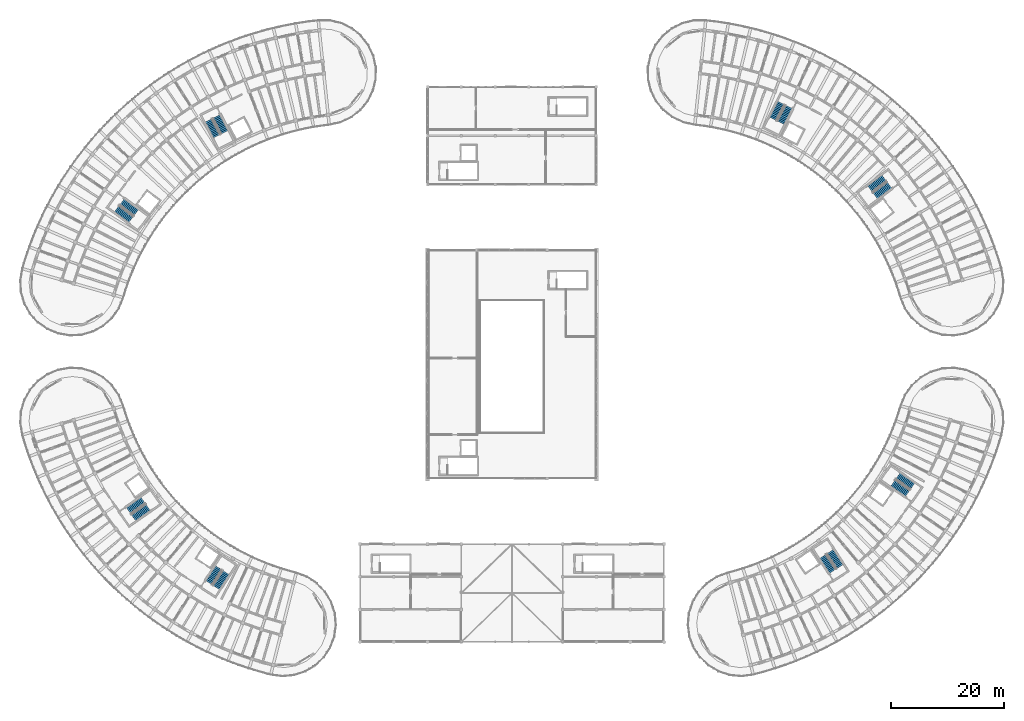
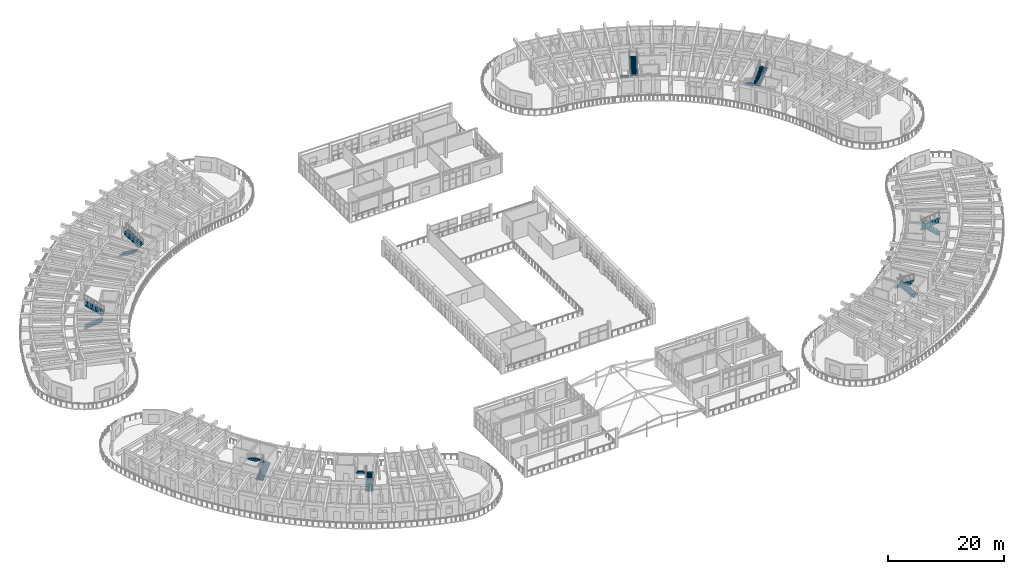
# One storey, part 102 of 128: 16 stair flights, 8 elements without a shape of their own.
"""IFC4 building model written with IfcOpenShell, lengths in metres."""

from ifc_helpers import new_model, si_unit, direction, frame, origin, place, context, subcontext, project, spatial, polyline, outline, extrude, material, layer, layer_set, type_object, element, aggregate, save


model = new_model("IFC4")

# Units and contexts
model_context = context("Model", 3, precision=1e-05, world=origin(), true_north=direction((0.0, 1.0)))
body_context = subcontext(model_context, "Body", "Model", "MODEL_VIEW")
ifc_project = project(units=[si_unit("LENGTHUNIT", "METRE"), si_unit("AREAUNIT", "SQUARE_METRE"), si_unit("VOLUMEUNIT", "CUBIC_METRE"), si_unit("PLANEANGLEUNIT", "RADIAN"), si_unit("MASSUNIT", "GRAM", prefix="KILO")], contexts=[model_context])

# Site, building, storey
site_placement = place(None, origin())
site = spatial("IfcSite", under=ifc_project, at=site_placement, CompositionType="ELEMENT")
building_placement = place(site_placement, origin())
building = spatial("IfcBuilding", under=site, at=building_placement, Name="Tanwirah Colonnade Gardens", CompositionType="ELEMENT")
storey_placement = place(building_placement, frame((0.0, 0.0, 4.760009765625)))
storey = spatial("IfcBuildingStorey", under=building, at=storey_placement, Name="L01", CompositionType="ELEMENT", Elevation=4.760009765625)

# Stair, stair flights
ifc_material = material(Name="Precast concrete C40/50", Category="concrete")
stair_type = type_object("IfcStairType", Name="ST-RES170", PredefinedType="HALF_TURN_STAIR", material=ifc_material)
stair_1_placement = place(storey_placement, origin())
stair_1 = element("IfcStair", 1, at=stair_1_placement, inside=storey, type_object=stair_type, Name="L01 Block A Core 1 Exit Stair", PredefinedType="HALF_TURN_STAIR")
ifc_layer = layer(ifc_material, 0.1650390625)
ifc_layer_set = layer_set([ifc_layer], Name="Precast concrete C40/50")
stair_flight_type = type_object("IfcStairFlightType", Name="FLT-RES165", PredefinedType="STRAIGHT", material=ifc_layer_set)
stair_flight_1_placement = place(storey_placement, frame((39.148681640625, 103.425048828125, 0.0), z_axis=(0.0, 0.0, 1.0), x_axis=(0.45399049974, -0.891006524188, 0.0)))
stair_flight_1 = element("IfcStairFlight", 2, at=stair_flight_1_placement, type_object=stair_flight_type, Name="ST-A1 flight 1", NumberOfRisers=12, NumberOfTreads=11, PredefinedType="STRAIGHT", RiserHeight=0.17, TreadLength=0.285, context=body_context, shape_type="SweptSolid", body=[
    extrude(outline(polyline([(-0.0048828125, 0.0), (0.0, 0.169921875), (0.284912109375, 0.169921875), (0.284912109375, 0.340087890625), (0.570068359375, 0.340087890625), (0.570068359375, 0.510009765625), (0.85498046875, 0.510009765625), (0.85498046875, 0.679931640625), (1.139892578125, 0.679931640625), (1.139892578125, 0.85009765625), (1.425048828125, 0.85009765625), (1.425048828125, 1.02001953125), (1.7099609375, 1.02001953125), (1.7099609375, 1.18994140625), (1.9951171875, 1.18994140625), (1.9951171875, 1.360107421875), (2.280029296875, 1.360107421875), (2.280029296875, 1.530029296875), (2.56494140625, 1.530029296875), (2.56494140625, 1.699951171875), (2.85009765625, 1.699951171875), (2.85009765625, 1.8701171875), (3.135009765625, 1.8701171875), (3.139892578125, 2.0400390625), (3.139892578125, 1.677734375), (0.3271484375, 0.0), (-0.0048828125, 0.0)])), frame((0.0, 0.68994140625, 0.0), z_axis=(0.0, -1.0, 0.0), x_axis=(1.0, 0.0, 0.0)), (0.0, 0.0, 1.0), 1.3798828125),
])
stair_flight_2_placement = place(storey_placement, frame((41.944091796875, 101.330810546875, 2.0400390625), z_axis=(0.0, 0.0, 1.0), x_axis=(-0.45399049974, 0.891006524188, 0.0)))
stair_flight_2 = element("IfcStairFlight", 3, at=stair_flight_2_placement, type_object=stair_flight_type, Name="ST-A1 flight 2", NumberOfRisers=12, NumberOfTreads=11, PredefinedType="STRAIGHT", RiserHeight=0.17, TreadLength=0.285, context=body_context, shape_type="SweptSolid", body=[
    extrude(outline(polyline([(-0.0048828125, 0.0), (0.0, 0.169921875), (0.284912109375, 0.169921875), (0.284912109375, 0.340087890625), (0.570068359375, 0.340087890625), (0.570068359375, 0.510009765625), (0.85498046875, 0.510009765625), (0.85498046875, 0.679931640625), (1.139892578125, 0.679931640625), (1.139892578125, 0.85009765625), (1.425048828125, 0.85009765625), (1.425048828125, 1.02001953125), (1.7099609375, 1.02001953125), (1.7099609375, 1.18994140625), (1.9951171875, 1.18994140625), (1.9951171875, 1.360107421875), (2.280029296875, 1.360107421875), (2.280029296875, 1.530029296875), (2.56494140625, 1.530029296875), (2.56494140625, 1.699951171875), (2.85009765625, 1.699951171875), (2.85009765625, 1.8701171875), (3.135009765625, 1.8701171875), (3.139892578125, 2.0400390625), (3.139892578125, 1.677734375), (0.3271484375, 0.0), (-0.0048828125, 0.0)])), frame((0.0, 0.68994140625, 0.0), z_axis=(0.0, -1.0, 0.0), x_axis=(1.0, 0.0, 0.0)), (0.0, 0.0, 1.0), 1.3798828125),
])
aggregate(stair_1, [stair_flight_1, stair_flight_2])

stair_2_placement = place(storey_placement, origin())
stair_2 = element("IfcStair", 4, at=stair_2_placement, inside=storey, type_object=stair_type, Name="L01 Block A Core 2 Exit Stair", PredefinedType="HALF_TURN_STAIR")
stair_flight_3_placement = place(storey_placement, frame((22.81640625, 87.7177734375, 0.0), z_axis=(0.0, 0.0, 1.0), x_axis=(0.798635510047, -0.601815023152, 0.0)))
stair_flight_3 = element("IfcStairFlight", 5, at=stair_flight_3_placement, type_object=stair_flight_type, Name="ST-A2 flight 1", NumberOfRisers=12, NumberOfTreads=11, PredefinedType="STRAIGHT", RiserHeight=0.17, TreadLength=0.285, context=body_context, shape_type="SweptSolid", body=[
    extrude(outline(polyline([(-0.0048828125, 0.0), (0.0, 0.169921875), (0.284912109375, 0.169921875), (0.284912109375, 0.340087890625), (0.570068359375, 0.340087890625), (0.570068359375, 0.510009765625), (0.85498046875, 0.510009765625), (0.85498046875, 0.679931640625), (1.139892578125, 0.679931640625), (1.139892578125, 0.85009765625), (1.425048828125, 0.85009765625), (1.425048828125, 1.02001953125), (1.7099609375, 1.02001953125), (1.7099609375, 1.18994140625), (1.9951171875, 1.18994140625), (1.9951171875, 1.360107421875), (2.280029296875, 1.360107421875), (2.280029296875, 1.530029296875), (2.56494140625, 1.530029296875), (2.56494140625, 1.699951171875), (2.85009765625, 1.699951171875), (2.85009765625, 1.8701171875), (3.135009765625, 1.8701171875), (3.139892578125, 2.0400390625), (3.139892578125, 1.677734375), (0.3271484375, 0.0), (-0.0048828125, 0.0)])), frame((0.0, 0.68994140625, 0.0), z_axis=(0.0, -1.0, 0.0), x_axis=(1.0, 0.0, 0.0)), (0.0, 0.0, 1.0), 1.3798828125),
])
stair_flight_4_placement = place(storey_placement, frame((26.246826171875, 87.06103515625, 2.0400390625), z_axis=(0.0, 0.0, 1.0), x_axis=(-0.798635510047, 0.601815023152, 0.0)))
stair_flight_4 = element("IfcStairFlight", 6, at=stair_flight_4_placement, type_object=stair_flight_type, Name="ST-A2 flight 2", NumberOfRisers=12, NumberOfTreads=11, PredefinedType="STRAIGHT", RiserHeight=0.17, TreadLength=0.285, context=body_context, shape_type="SweptSolid", body=[
    extrude(outline(polyline([(-0.0048828125, 0.0), (0.0, 0.169921875), (0.284912109375, 0.169921875), (0.284912109375, 0.340087890625), (0.570068359375, 0.340087890625), (0.570068359375, 0.510009765625), (0.85498046875, 0.510009765625), (0.85498046875, 0.679931640625), (1.139892578125, 0.679931640625), (1.139892578125, 0.85009765625), (1.425048828125, 0.85009765625), (1.425048828125, 1.02001953125), (1.7099609375, 1.02001953125), (1.7099609375, 1.18994140625), (1.9951171875, 1.18994140625), (1.9951171875, 1.360107421875), (2.280029296875, 1.360107421875), (2.280029296875, 1.530029296875), (2.56494140625, 1.530029296875), (2.56494140625, 1.699951171875), (2.85009765625, 1.699951171875), (2.85009765625, 1.8701171875), (3.135009765625, 1.8701171875), (3.139892578125, 2.0400390625), (3.139892578125, 1.677734375), (0.3271484375, 0.0), (-0.0048828125, 0.0)])), frame((0.0, 0.68994140625, 0.0), z_axis=(0.0, -1.0, 0.0), x_axis=(1.0, 0.0, 0.0)), (0.0, 0.0, 1.0), 1.3798828125),
])
aggregate(stair_2, [stair_flight_3, stair_flight_4])

stair_3_placement = place(storey_placement, origin())
stair_3 = element("IfcStair", 7, at=stair_3_placement, inside=storey, type_object=stair_type, Name="L01 Block B Core 1 Exit Stair", PredefinedType="HALF_TURN_STAIR")
stair_flight_5_placement = place(storey_placement, frame((159.079345703125, 93.16455078125, 0.0), z_axis=(0.0, 0.0, 1.0), x_axis=(-0.798635510047, -0.601815023152, 0.0)))
stair_flight_5 = element("IfcStairFlight", 8, at=stair_flight_5_placement, type_object=stair_flight_type, Name="ST-B1 flight 1", NumberOfRisers=12, NumberOfTreads=11, PredefinedType="STRAIGHT", RiserHeight=0.17, TreadLength=0.285, context=body_context, shape_type="SweptSolid", body=[
    extrude(outline(polyline([(-0.0048828125, 0.0), (0.0, 0.169921875), (0.284912109375, 0.169921875), (0.284912109375, 0.340087890625), (0.570068359375, 0.340087890625), (0.570068359375, 0.510009765625), (0.85498046875, 0.510009765625), (0.85498046875, 0.679931640625), (1.139892578125, 0.679931640625), (1.139892578125, 0.85009765625), (1.425048828125, 0.85009765625), (1.425048828125, 1.02001953125), (1.7099609375, 1.02001953125), (1.7099609375, 1.18994140625), (1.9951171875, 1.18994140625), (1.9951171875, 1.360107421875), (2.280029296875, 1.360107421875), (2.280029296875, 1.530029296875), (2.56494140625, 1.530029296875), (2.56494140625, 1.699951171875), (2.85009765625, 1.699951171875), (2.85009765625, 1.8701171875), (3.135009765625, 1.8701171875), (3.139892578125, 2.0400390625), (3.139892578125, 1.677734375), (0.3271484375, 0.0), (-0.0048828125, 0.0)])), frame((0.0, 0.68994140625, 0.0), z_axis=(0.0, -1.0, 0.0), x_axis=(1.0, 0.0, 0.0)), (0.0, 0.0, 1.0), 1.3798828125),
])
stair_flight_6_placement = place(storey_placement, frame((157.502197265625, 90.0478515625, 2.0400390625), z_axis=(0.0, 0.0, 1.0), x_axis=(0.798635510047, 0.601815023152, 0.0)))
stair_flight_6 = element("IfcStairFlight", 9, at=stair_flight_6_placement, type_object=stair_flight_type, Name="ST-B1 flight 2", NumberOfRisers=12, NumberOfTreads=11, PredefinedType="STRAIGHT", RiserHeight=0.17, TreadLength=0.285, context=body_context, shape_type="SweptSolid", body=[
    extrude(outline(polyline([(-0.0048828125, 0.0), (0.0, 0.169921875), (0.284912109375, 0.169921875), (0.284912109375, 0.340087890625), (0.570068359375, 0.340087890625), (0.570068359375, 0.510009765625), (0.85498046875, 0.510009765625), (0.85498046875, 0.679931640625), (1.139892578125, 0.679931640625), (1.139892578125, 0.85009765625), (1.425048828125, 0.85009765625), (1.425048828125, 1.02001953125), (1.7099609375, 1.02001953125), (1.7099609375, 1.18994140625), (1.9951171875, 1.18994140625), (1.9951171875, 1.360107421875), (2.280029296875, 1.360107421875), (2.280029296875, 1.530029296875), (2.56494140625, 1.530029296875), (2.56494140625, 1.699951171875), (2.85009765625, 1.699951171875), (2.85009765625, 1.8701171875), (3.135009765625, 1.8701171875), (3.139892578125, 2.0400390625), (3.139892578125, 1.677734375), (0.3271484375, 0.0), (-0.0048828125, 0.0)])), frame((0.0, 0.68994140625, 0.0), z_axis=(0.0, -1.0, 0.0), x_axis=(1.0, 0.0, 0.0)), (0.0, 0.0, 1.0), 1.3798828125),
])
aggregate(stair_3, [stair_flight_5, stair_flight_6])

stair_4_placement = place(storey_placement, origin())
stair_4 = element("IfcStair", 10, at=stair_4_placement, inside=storey, type_object=stair_type, Name="L01 Block B Core 2 Exit Stair", PredefinedType="HALF_TURN_STAIR")
stair_flight_7_placement = place(storey_placement, frame((140.774658203125, 106.521240234375, 0.0), z_axis=(0.0, 0.0, 1.0), x_axis=(-0.45399049974, -0.891006524188, 0.0)))
stair_flight_7 = element("IfcStairFlight", 11, at=stair_flight_7_placement, type_object=stair_flight_type, Name="ST-B2 flight 1", NumberOfRisers=12, NumberOfTreads=11, PredefinedType="STRAIGHT", RiserHeight=0.17, TreadLength=0.285, context=body_context, shape_type="SweptSolid", body=[
    extrude(outline(polyline([(-0.0048828125, 0.0), (0.0, 0.169921875), (0.284912109375, 0.169921875), (0.284912109375, 0.340087890625), (0.570068359375, 0.340087890625), (0.570068359375, 0.510009765625), (0.85498046875, 0.510009765625), (0.85498046875, 0.679931640625), (1.139892578125, 0.679931640625), (1.139892578125, 0.85009765625), (1.425048828125, 0.85009765625), (1.425048828125, 1.02001953125), (1.7099609375, 1.02001953125), (1.7099609375, 1.18994140625), (1.9951171875, 1.18994140625), (1.9951171875, 1.360107421875), (2.280029296875, 1.360107421875), (2.280029296875, 1.530029296875), (2.56494140625, 1.530029296875), (2.56494140625, 1.699951171875), (2.85009765625, 1.699951171875), (2.85009765625, 1.8701171875), (3.135009765625, 1.8701171875), (3.139892578125, 2.0400390625), (3.139892578125, 1.677734375), (0.3271484375, 0.0), (-0.0048828125, 0.0)])), frame((0.0, 0.68994140625, 0.0), z_axis=(0.0, -1.0, 0.0), x_axis=(1.0, 0.0, 0.0)), (0.0, 0.0, 1.0), 1.3798828125),
])
stair_flight_8_placement = place(storey_placement, frame((140.7236328125, 103.02880859375, 2.0400390625), z_axis=(0.0, 0.0, 1.0), x_axis=(0.45399049974, 0.891006524188, 0.0)))
stair_flight_8 = element("IfcStairFlight", 12, at=stair_flight_8_placement, type_object=stair_flight_type, Name="ST-B2 flight 2", NumberOfRisers=12, NumberOfTreads=11, PredefinedType="STRAIGHT", RiserHeight=0.17, TreadLength=0.285, context=body_context, shape_type="SweptSolid", body=[
    extrude(outline(polyline([(-0.0048828125, 0.0), (0.0, 0.169921875), (0.284912109375, 0.169921875), (0.284912109375, 0.340087890625), (0.570068359375, 0.340087890625), (0.570068359375, 0.510009765625), (0.85498046875, 0.510009765625), (0.85498046875, 0.679931640625), (1.139892578125, 0.679931640625), (1.139892578125, 0.85009765625), (1.425048828125, 0.85009765625), (1.425048828125, 1.02001953125), (1.7099609375, 1.02001953125), (1.7099609375, 1.18994140625), (1.9951171875, 1.18994140625), (1.9951171875, 1.360107421875), (2.280029296875, 1.360107421875), (2.280029296875, 1.530029296875), (2.56494140625, 1.530029296875), (2.56494140625, 1.699951171875), (2.85009765625, 1.699951171875), (2.85009765625, 1.8701171875), (3.135009765625, 1.8701171875), (3.139892578125, 2.0400390625), (3.139892578125, 1.677734375), (0.3271484375, 0.0), (-0.0048828125, 0.0)])), frame((0.0, 0.68994140625, 0.0), z_axis=(0.0, -1.0, 0.0), x_axis=(1.0, 0.0, 0.0)), (0.0, 0.0, 1.0), 1.3798828125),
])
aggregate(stair_4, [stair_flight_7, stair_flight_8])

stair_5_placement = place(storey_placement, origin())
stair_5 = element("IfcStair", 13, at=stair_5_placement, inside=storey, type_object=stair_type, Name="L01 Block C Core 1 Exit Stair", PredefinedType="HALF_TURN_STAIR")
stair_flight_9_placement = place(storey_placement, frame((25.79345703125, 32.884521484375, 0.0), z_axis=(0.0, 0.0, 1.0), x_axis=(0.819152044289, 0.573576436351, 0.0)))
stair_flight_9 = element("IfcStairFlight", 14, at=stair_flight_9_placement, type_object=stair_flight_type, Name="ST-C1 flight 1", NumberOfRisers=12, NumberOfTreads=11, PredefinedType="STRAIGHT", RiserHeight=0.17, TreadLength=0.285, context=body_context, shape_type="SweptSolid", body=[
    extrude(outline(polyline([(-0.0048828125, 0.0), (0.0, 0.169921875), (0.284912109375, 0.169921875), (0.284912109375, 0.340087890625), (0.570068359375, 0.340087890625), (0.570068359375, 0.510009765625), (0.85498046875, 0.510009765625), (0.85498046875, 0.679931640625), (1.139892578125, 0.679931640625), (1.139892578125, 0.85009765625), (1.425048828125, 0.85009765625), (1.425048828125, 1.02001953125), (1.7099609375, 1.02001953125), (1.7099609375, 1.18994140625), (1.9951171875, 1.18994140625), (1.9951171875, 1.360107421875), (2.280029296875, 1.360107421875), (2.280029296875, 1.530029296875), (2.56494140625, 1.530029296875), (2.56494140625, 1.699951171875), (2.85009765625, 1.699951171875), (2.85009765625, 1.8701171875), (3.135009765625, 1.8701171875), (3.139892578125, 2.0400390625), (3.139892578125, 1.677734375), (0.3271484375, 0.0), (-0.0048828125, 0.0)])), frame((0.0, 0.68994140625, 0.0), z_axis=(0.0, -1.0, 0.0), x_axis=(1.0, 0.0, 0.0)), (0.0, 0.0, 1.0), 1.3798828125),
])
stair_flight_10_placement = place(storey_placement, frame((27.478271484375, 35.944091796875, 2.0400390625), z_axis=(0.0, 0.0, 1.0), x_axis=(-0.819152044289, -0.573576436351, 0.0)))
stair_flight_10 = element("IfcStairFlight", 15, at=stair_flight_10_placement, type_object=stair_flight_type, Name="ST-C1 flight 2", NumberOfRisers=12, NumberOfTreads=11, PredefinedType="STRAIGHT", RiserHeight=0.17, TreadLength=0.285, context=body_context, shape_type="SweptSolid", body=[
    extrude(outline(polyline([(-0.0048828125, 0.0), (0.0, 0.169921875), (0.284912109375, 0.169921875), (0.284912109375, 0.340087890625), (0.570068359375, 0.340087890625), (0.570068359375, 0.510009765625), (0.85498046875, 0.510009765625), (0.85498046875, 0.679931640625), (1.139892578125, 0.679931640625), (1.139892578125, 0.85009765625), (1.425048828125, 0.85009765625), (1.425048828125, 1.02001953125), (1.7099609375, 1.02001953125), (1.7099609375, 1.18994140625), (1.9951171875, 1.18994140625), (1.9951171875, 1.360107421875), (2.280029296875, 1.360107421875), (2.280029296875, 1.530029296875), (2.56494140625, 1.530029296875), (2.56494140625, 1.699951171875), (2.85009765625, 1.699951171875), (2.85009765625, 1.8701171875), (3.135009765625, 1.8701171875), (3.139892578125, 2.0400390625), (3.139892578125, 1.677734375), (0.3271484375, 0.0), (-0.0048828125, 0.0)])), frame((0.0, 0.68994140625, 0.0), z_axis=(0.0, -1.0, 0.0), x_axis=(1.0, 0.0, 0.0)), (0.0, 0.0, 1.0), 1.3798828125),
])
aggregate(stair_5, [stair_flight_9, stair_flight_10])

stair_6_placement = place(storey_placement, origin())
stair_6 = element("IfcStair", 16, at=stair_6_placement, inside=storey, type_object=stair_type, Name="L01 Block C Core 2 Exit Stair", PredefinedType="HALF_TURN_STAIR")
stair_flight_11_placement = place(storey_placement, frame((40.49169921875, 20.49951171875, 0.0), z_axis=(0.0, 0.0, 1.0), x_axis=(0.544639035015, 0.838670567945, 0.0)))
stair_flight_11 = element("IfcStairFlight", 17, at=stair_flight_11_placement, type_object=stair_flight_type, Name="ST-C2 flight 1", NumberOfRisers=12, NumberOfTreads=11, PredefinedType="STRAIGHT", RiserHeight=0.17, TreadLength=0.285, context=body_context, shape_type="SweptSolid", body=[
    extrude(outline(polyline([(-0.0048828125, 0.0), (0.0, 0.169921875), (0.284912109375, 0.169921875), (0.284912109375, 0.340087890625), (0.570068359375, 0.340087890625), (0.570068359375, 0.510009765625), (0.85498046875, 0.510009765625), (0.85498046875, 0.679931640625), (1.139892578125, 0.679931640625), (1.139892578125, 0.85009765625), (1.425048828125, 0.85009765625), (1.425048828125, 1.02001953125), (1.7099609375, 1.02001953125), (1.7099609375, 1.18994140625), (1.9951171875, 1.18994140625), (1.9951171875, 1.360107421875), (2.280029296875, 1.360107421875), (2.280029296875, 1.530029296875), (2.56494140625, 1.530029296875), (2.56494140625, 1.699951171875), (2.85009765625, 1.699951171875), (2.85009765625, 1.8701171875), (3.135009765625, 1.8701171875), (3.139892578125, 2.0400390625), (3.139892578125, 1.677734375), (0.3271484375, 0.0), (-0.0048828125, 0.0)])), frame((0.0, 0.68994140625, 0.0), z_axis=(0.0, -1.0, 0.0), x_axis=(1.0, 0.0, 0.0)), (0.0, 0.0, 1.0), 1.3798828125),
])
stair_flight_12_placement = place(storey_placement, frame((40.90771484375, 23.967529296875, 2.0400390625), z_axis=(0.0, 0.0, 1.0), x_axis=(-0.544639035015, -0.838670567945, 0.0)))
stair_flight_12 = element("IfcStairFlight", 18, at=stair_flight_12_placement, type_object=stair_flight_type, Name="ST-C2 flight 2", NumberOfRisers=12, NumberOfTreads=11, PredefinedType="STRAIGHT", RiserHeight=0.17, TreadLength=0.285, context=body_context, shape_type="SweptSolid", body=[
    extrude(outline(polyline([(-0.0048828125, 0.0), (0.0, 0.169921875), (0.284912109375, 0.169921875), (0.284912109375, 0.340087890625), (0.570068359375, 0.340087890625), (0.570068359375, 0.510009765625), (0.85498046875, 0.510009765625), (0.85498046875, 0.679931640625), (1.139892578125, 0.679931640625), (1.139892578125, 0.85009765625), (1.425048828125, 0.85009765625), (1.425048828125, 1.02001953125), (1.7099609375, 1.02001953125), (1.7099609375, 1.18994140625), (1.9951171875, 1.18994140625), (1.9951171875, 1.360107421875), (2.280029296875, 1.360107421875), (2.280029296875, 1.530029296875), (2.56494140625, 1.530029296875), (2.56494140625, 1.699951171875), (2.85009765625, 1.699951171875), (2.85009765625, 1.8701171875), (3.135009765625, 1.8701171875), (3.139892578125, 2.0400390625), (3.139892578125, 1.677734375), (0.3271484375, 0.0), (-0.0048828125, 0.0)])), frame((0.0, 0.68994140625, 0.0), z_axis=(0.0, -1.0, 0.0), x_axis=(1.0, 0.0, 0.0)), (0.0, 0.0, 1.0), 1.3798828125),
])
aggregate(stair_6, [stair_flight_11, stair_flight_12])

stair_7_placement = place(storey_placement, origin())
stair_7 = element("IfcStair", 19, at=stair_7_placement, inside=storey, type_object=stair_type, Name="L01 Block D Core 1 Exit Stair", PredefinedType="HALF_TURN_STAIR")
stair_flight_13_placement = place(storey_placement, frame((151.22802734375, 24.214111328125, 0.0), z_axis=(0.0, 0.0, 1.0), x_axis=(-0.544639035015, 0.838670567945, 0.0)))
stair_flight_13 = element("IfcStairFlight", 20, at=stair_flight_13_placement, type_object=stair_flight_type, Name="ST-D1 flight 1", NumberOfRisers=12, NumberOfTreads=11, PredefinedType="STRAIGHT", RiserHeight=0.17, TreadLength=0.285, context=body_context, shape_type="SweptSolid", body=[
    extrude(outline(polyline([(-0.0048828125, 0.0), (0.0, 0.169921875), (0.284912109375, 0.169921875), (0.284912109375, 0.340087890625), (0.570068359375, 0.340087890625), (0.570068359375, 0.510009765625), (0.85498046875, 0.510009765625), (0.85498046875, 0.679931640625), (1.139892578125, 0.679931640625), (1.139892578125, 0.85009765625), (1.425048828125, 0.85009765625), (1.425048828125, 1.02001953125), (1.7099609375, 1.02001953125), (1.7099609375, 1.18994140625), (1.9951171875, 1.18994140625), (1.9951171875, 1.360107421875), (2.280029296875, 1.360107421875), (2.280029296875, 1.530029296875), (2.56494140625, 1.530029296875), (2.56494140625, 1.699951171875), (2.85009765625, 1.699951171875), (2.85009765625, 1.8701171875), (3.135009765625, 1.8701171875), (3.139892578125, 2.0400390625), (3.139892578125, 1.677734375), (0.3271484375, 0.0), (-0.0048828125, 0.0)])), frame((0.0, 0.68994140625, 0.0), z_axis=(0.0, -1.0, 0.0), x_axis=(1.0, 0.0, 0.0)), (0.0, 0.0, 1.0), 1.3798828125),
])
stair_flight_14_placement = place(storey_placement, frame((148.22900390625, 26.00439453125, 2.0400390625), z_axis=(0.0, 0.0, 1.0), x_axis=(0.544639035015, -0.838670567945, 0.0)))
stair_flight_14 = element("IfcStairFlight", 21, at=stair_flight_14_placement, type_object=stair_flight_type, Name="ST-D1 flight 2", NumberOfRisers=12, NumberOfTreads=11, PredefinedType="STRAIGHT", RiserHeight=0.17, TreadLength=0.285, context=body_context, shape_type="SweptSolid", body=[
    extrude(outline(polyline([(-0.0048828125, 0.0), (0.0, 0.169921875), (0.284912109375, 0.169921875), (0.284912109375, 0.340087890625), (0.570068359375, 0.340087890625), (0.570068359375, 0.510009765625), (0.85498046875, 0.510009765625), (0.85498046875, 0.679931640625), (1.139892578125, 0.679931640625), (1.139892578125, 0.85009765625), (1.425048828125, 0.85009765625), (1.425048828125, 1.02001953125), (1.7099609375, 1.02001953125), (1.7099609375, 1.18994140625), (1.9951171875, 1.18994140625), (1.9951171875, 1.360107421875), (2.280029296875, 1.360107421875), (2.280029296875, 1.530029296875), (2.56494140625, 1.530029296875), (2.56494140625, 1.699951171875), (2.85009765625, 1.699951171875), (2.85009765625, 1.8701171875), (3.135009765625, 1.8701171875), (3.139892578125, 2.0400390625), (3.139892578125, 1.677734375), (0.3271484375, 0.0), (-0.0048828125, 0.0)])), frame((0.0, 0.68994140625, 0.0), z_axis=(0.0, -1.0, 0.0), x_axis=(1.0, 0.0, 0.0)), (0.0, 0.0, 1.0), 1.3798828125),
])
aggregate(stair_7, [stair_flight_13, stair_flight_14])

stair_8_placement = place(storey_placement, origin())
stair_8 = element("IfcStair", 22, at=stair_8_placement, inside=storey, type_object=stair_type, Name="L01 Block D Core 2 Exit Stair", PredefinedType="HALF_TURN_STAIR")
stair_flight_15_placement = place(storey_placement, frame((164.1181640625, 38.47119140625, 0.0), z_axis=(0.0, 0.0, 1.0), x_axis=(-0.819152044289, 0.573576436351, 0.0)))
stair_flight_15 = element("IfcStairFlight", 23, at=stair_flight_15_placement, type_object=stair_flight_type, Name="ST-D2 flight 1", NumberOfRisers=12, NumberOfTreads=11, PredefinedType="STRAIGHT", RiserHeight=0.17, TreadLength=0.285, context=body_context, shape_type="SweptSolid", body=[
    extrude(outline(polyline([(-0.0048828125, 0.0), (0.0, 0.169921875), (0.284912109375, 0.169921875), (0.284912109375, 0.340087890625), (0.570068359375, 0.340087890625), (0.570068359375, 0.510009765625), (0.85498046875, 0.510009765625), (0.85498046875, 0.679931640625), (1.139892578125, 0.679931640625), (1.139892578125, 0.85009765625), (1.425048828125, 0.85009765625), (1.425048828125, 1.02001953125), (1.7099609375, 1.02001953125), (1.7099609375, 1.18994140625), (1.9951171875, 1.18994140625), (1.9951171875, 1.360107421875), (2.280029296875, 1.360107421875), (2.280029296875, 1.530029296875), (2.56494140625, 1.530029296875), (2.56494140625, 1.699951171875), (2.85009765625, 1.699951171875), (2.85009765625, 1.8701171875), (3.135009765625, 1.8701171875), (3.139892578125, 2.0400390625), (3.139892578125, 1.677734375), (0.3271484375, 0.0), (-0.0048828125, 0.0)])), frame((0.0, 0.68994140625, 0.0), z_axis=(0.0, -1.0, 0.0), x_axis=(1.0, 0.0, 0.0)), (0.0, 0.0, 1.0), 1.3798828125),
])
stair_flight_16_placement = place(storey_placement, frame((160.6669921875, 39.0078125, 2.0400390625), z_axis=(0.0, 0.0, 1.0), x_axis=(0.819152044289, -0.573576436351, 0.0)))
stair_flight_16 = element("IfcStairFlight", 24, at=stair_flight_16_placement, type_object=stair_flight_type, Name="ST-D2 flight 2", NumberOfRisers=12, NumberOfTreads=11, PredefinedType="STRAIGHT", RiserHeight=0.17, TreadLength=0.285, context=body_context, shape_type="SweptSolid", body=[
    extrude(outline(polyline([(-0.0048828125, 0.0), (0.0, 0.169921875), (0.284912109375, 0.169921875), (0.284912109375, 0.340087890625), (0.570068359375, 0.340087890625), (0.570068359375, 0.510009765625), (0.85498046875, 0.510009765625), (0.85498046875, 0.679931640625), (1.139892578125, 0.679931640625), (1.139892578125, 0.85009765625), (1.425048828125, 0.85009765625), (1.425048828125, 1.02001953125), (1.7099609375, 1.02001953125), (1.7099609375, 1.18994140625), (1.9951171875, 1.18994140625), (1.9951171875, 1.360107421875), (2.280029296875, 1.360107421875), (2.280029296875, 1.530029296875), (2.56494140625, 1.530029296875), (2.56494140625, 1.699951171875), (2.85009765625, 1.699951171875), (2.85009765625, 1.8701171875), (3.135009765625, 1.8701171875), (3.139892578125, 2.0400390625), (3.139892578125, 1.677734375), (0.3271484375, 0.0), (-0.0048828125, 0.0)])), frame((0.0, 0.68994140625, 0.0), z_axis=(0.0, -1.0, 0.0), x_axis=(1.0, 0.0, 0.0)), (0.0, 0.0, 1.0), 1.3798828125),
])
aggregate(stair_8, [stair_flight_15, stair_flight_16])

save(model, "model.ifc")
